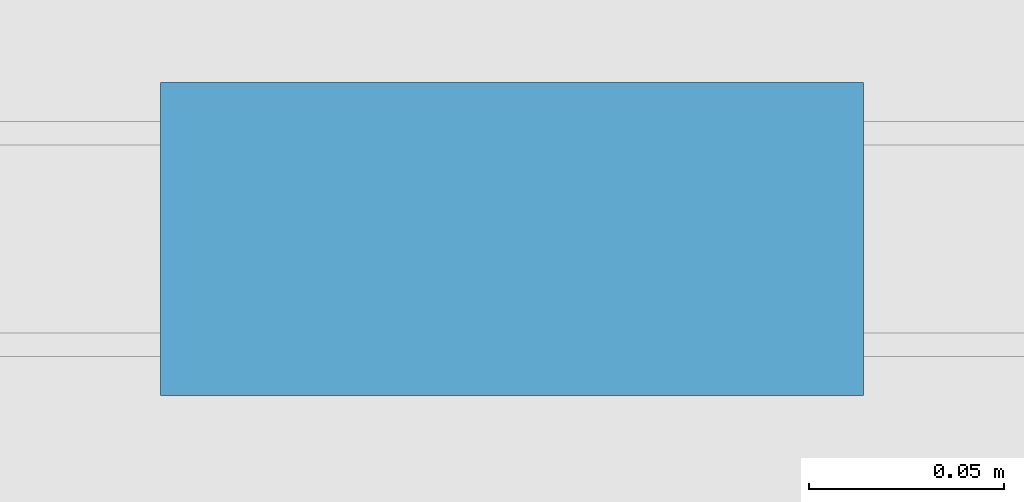
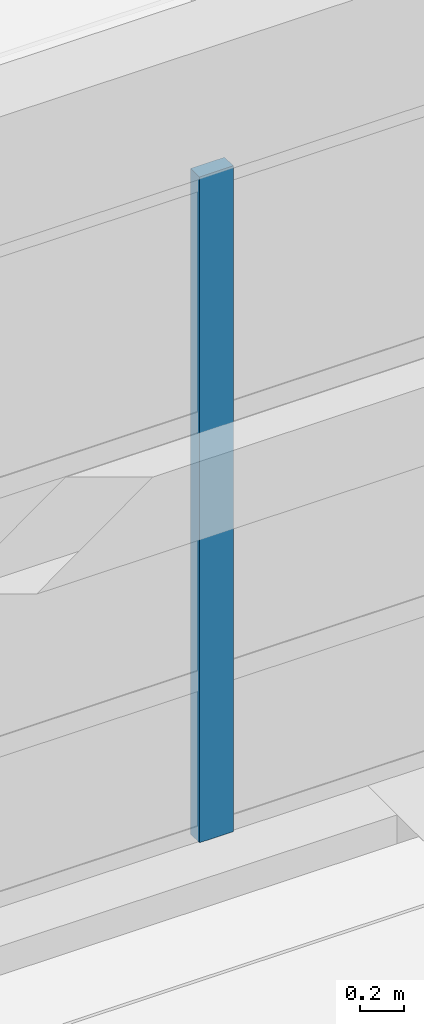
# One storey, part 51 of 143: 1 member, 1 element without a shape of its own.
"""IFC4 building model written with IfcOpenShell, lengths in metres."""

from ifc_helpers import new_model, si_unit, direction, frame, origin, origin_2d, place, context, subcontext, project, spatial, rectangle, extrude, material, material_profile, profile_set, type_object, element, aggregate, save


model = new_model("IFC4")

# Units and contexts
model_context = context("Model", 3, precision=1e-05, world=origin(), true_north=direction((0.0, 1.0)))
body_context = subcontext(model_context, "Body", "Model", "MODEL_VIEW")
ifc_project = project(units=[si_unit("LENGTHUNIT", "METRE"), si_unit("AREAUNIT", "SQUARE_METRE"), si_unit("VOLUMEUNIT", "CUBIC_METRE"), si_unit("PLANEANGLEUNIT", "RADIAN"), si_unit("MASSUNIT", "GRAM", prefix="KILO")], contexts=[model_context])

# Site, building, storey
site_placement = place(None, origin())
site = spatial("IfcSite", under=ifc_project, at=site_placement, CompositionType="ELEMENT")
building_placement = place(site_placement, origin())
building = spatial("IfcBuilding", under=site, at=building_placement, Name="Steenspoor Specialist Clinic", CompositionType="ELEMENT")
storey_placement = place(building_placement, origin())
storey = spatial("IfcBuildingStorey", under=building, at=storey_placement, Name="L00", CompositionType="ELEMENT", Elevation=0.0)

# Curtain wall, member
ifc_material_1 = material(Name="Thermally broken aluminium and low-emissivity glass", Category="aluminium")
curtain_wall_type = type_object("IfcCurtainWallType", Name="CW-SCR-360X320", PredefinedType="USERDEFINED", material=ifc_material_1)
curtain_wall_placement = place(storey_placement, origin())
curtain_wall = element("IfcCurtainWall", 1, at=curtain_wall_placement, inside=storey, type_object=curtain_wall_type, Name="Unitised Curtain Wall CW-V4-L00-043", ObjectType="UNITISED GLAZING", PredefinedType="USERDEFINED")
ifc_material_2 = material(Name="Thermally broken aluminium 6063-T6", Category="aluminium")
ifc_material_profile = material_profile(ifc_material_2, rectangle(XDim=0.080078125, YDim=0.179931640625, at=origin_2d()), Name="CWM-80X180")
ifc_profile_set = profile_set([ifc_material_profile], Name="Thermally broken aluminium 6063-T6")
member_type = type_object("IfcMemberType", Name="CW-MULL-80X180", PredefinedType="MULLION", material=ifc_profile_set)
member_placement = place(storey_placement, frame((85.8916015625, 65.14990234375, 0.0), z_axis=(0.0, 0.0, 1.0), x_axis=(0.0, -1.0, 0.0)))
member = element("IfcMember", 2, at=member_placement, type_object=member_type, Name="CW-19 mullion 2", PredefinedType="MULLION", context=body_context, shape_type="SweptSolid", body=[
    extrude(rectangle(XDim=0.080078125, YDim=0.179931640625, at=origin_2d()), origin(), (0.0, 0.0, 1.0), 3.72998046875),
])
aggregate(curtain_wall, [member])

save(model, "model.ifc")
